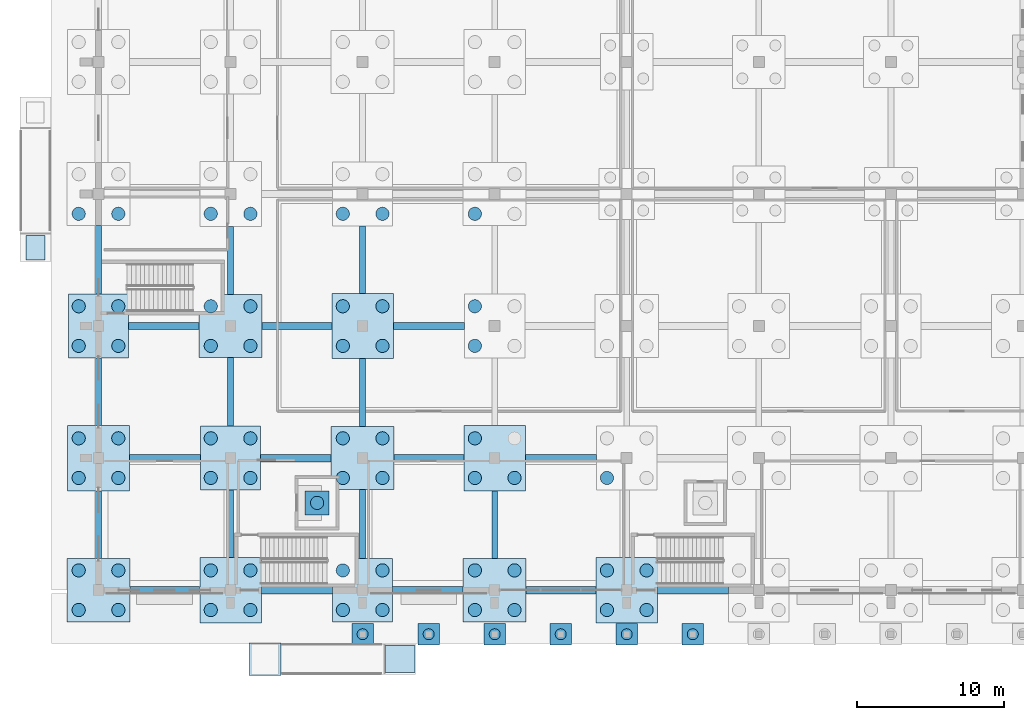
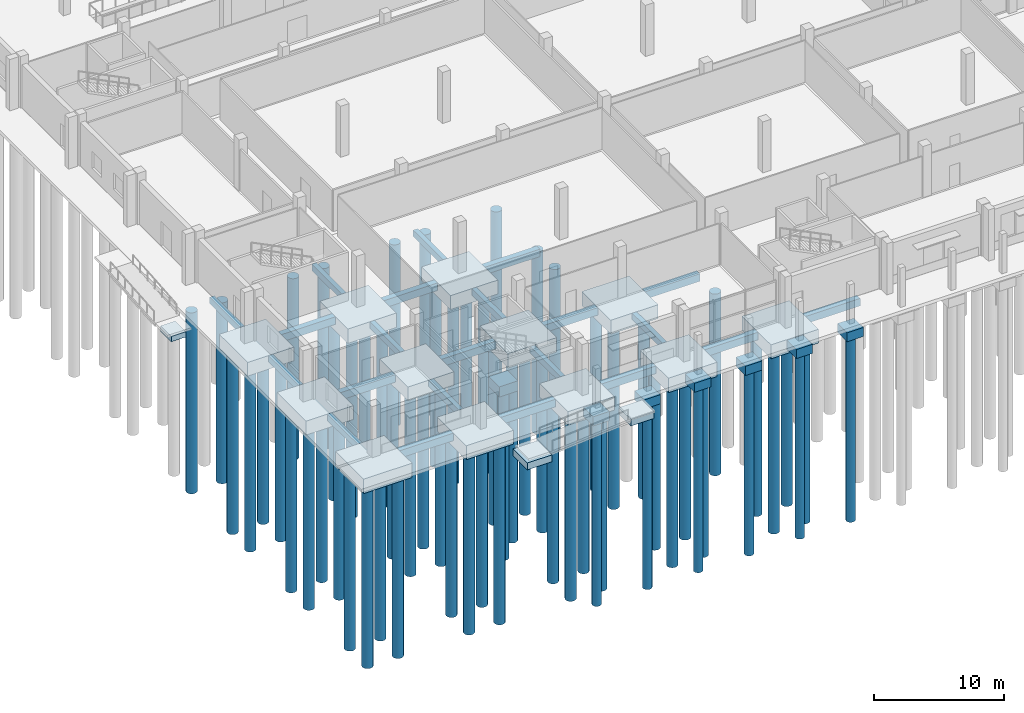
# One storey, part 1 of 112: 64 piles, 44 footings.
"""IFC4 building model written with IfcOpenShell, lengths in metres."""

from ifc_helpers import new_model, si_unit, direction, frame, origin, origin_2d, place, context, subcontext, project, spatial, polyline, rectangle, circle, outline, extrude, material, material_profile, profile_set, type_object, element, save


model = new_model("IFC4")

# Units and contexts
model_context = context("Model", 3, precision=1e-05, world=origin(), true_north=direction((0.0, 1.0)))
body_context = subcontext(model_context, "Body", "Model", "MODEL_VIEW")
ifc_project = project(units=[si_unit("LENGTHUNIT", "METRE"), si_unit("AREAUNIT", "SQUARE_METRE"), si_unit("VOLUMEUNIT", "CUBIC_METRE"), si_unit("PLANEANGLEUNIT", "RADIAN"), si_unit("MASSUNIT", "GRAM", prefix="KILO")], contexts=[model_context])

# Site, building, storey
site_placement = place(None, origin())
site = spatial("IfcSite", under=ifc_project, at=site_placement, CompositionType="ELEMENT")
building_placement = place(site_placement, origin())
building = spatial("IfcBuilding", under=site, at=building_placement, Name="Tharagai Park Tramway Depot", CompositionType="ELEMENT")
storey_placement = place(building_placement, origin())
storey = spatial("IfcBuildingStorey", under=building, at=storey_placement, Name="L00", CompositionType="ELEMENT", Elevation=0.0)

# Piles
ifc_material = material(Name="Concrete M40", Category="concrete")
ifc_material_profile_1 = material_profile(ifc_material, circle(Radius=0.449951171875, at=origin_2d()), Name="PILE D900")
ifc_profile_set_1 = profile_set([ifc_material_profile_1], Name="Concrete M40")
pile_type_1 = type_object("IfcPileType", Name="BP-01", PredefinedType="BORED", material=ifc_profile_set_1)
for number, where, z_axis, x_axis, name in (
    (1, (-1.35009765625, -1.35009765625, -1.550048828125), (0.0, 0.0, -1.0), (1.0, 0.0, 0.0), "Bored Pile BP-01 (0,0) #1"),
    (2, (1.35009765625, -1.35009765625, -1.550048828125), (0.0, 0.0, -1.0), (1.0, 0.0, 0.0), "Bored Pile BP-01 (0,0) #2"),
    (3, (-1.35009765625, 1.35009765625, -1.550048828125), (0.0, 0.0, -1.0), (1.0, 0.0, 0.0), "Bored Pile BP-01 (0,0) #3"),
    (4, (1.35009765625, 1.35009765625, -1.550048828125), (0.0, 0.0, -1.0), (1.0, 0.0, 0.0), "Bored Pile BP-01 (0,0) #4"),
):
    element("IfcPile", number, at=place(storey_placement, frame(where, z_axis=z_axis, x_axis=x_axis)), inside=storey, type_object=pile_type_1, Name=name, PredefinedType="BORED", context=body_context, shape_type="SweptSolid", body=[
        extrude(circle(Radius=0.449951171875, at=origin_2d()), origin(), (0.0, 0.0, 1.0), 16.949951171875),
    ])
for number, where, z_axis, x_axis, name in (
    (5, (-1.35009765625, 7.64990234375, -1.5), (0.0, 0.0, -1.0), (1.0, 0.0, 0.0), "Bored Pile BP-01 (0,9) #1"),
    (6, (1.35009765625, 7.64990234375, -1.5), (0.0, 0.0, -1.0), (1.0, 0.0, 0.0), "Bored Pile BP-01 (0,9) #2"),
    (7, (-1.35009765625, 10.35009765625, -1.5), (0.0, 0.0, -1.0), (1.0, 0.0, 0.0), "Bored Pile BP-01 (0,9) #3"),
    (8, (1.35009765625, 10.35009765625, -1.5), (0.0, 0.0, -1.0), (1.0, 0.0, 0.0), "Bored Pile BP-01 (0,9) #4"),
):
    element("IfcPile", number, at=place(storey_placement, frame(where, z_axis=z_axis, x_axis=x_axis)), inside=storey, type_object=pile_type_1, Name=name, PredefinedType="BORED", context=body_context, shape_type="SweptSolid", body=[
        extrude(circle(Radius=0.449951171875, at=origin_2d()), origin(), (0.0, 0.0, 1.0), 17.0),
    ])
for number, where, z_axis, x_axis, name in (
    (9, (-1.35009765625, 16.64990234375, -1.47998046875), (0.0, 0.0, -1.0), (1.0, 0.0, 0.0), "Bored Pile BP-01 (0,18) #1"),
    (10, (1.35009765625, 16.64990234375, -1.47998046875), (0.0, 0.0, -1.0), (1.0, 0.0, 0.0), "Bored Pile BP-01 (0,18) #2"),
    (11, (-1.35009765625, 19.35009765625, -1.47998046875), (0.0, 0.0, -1.0), (1.0, 0.0, 0.0), "Bored Pile BP-01 (0,18) #3"),
    (12, (1.35009765625, 19.35009765625, -1.47998046875), (0.0, 0.0, -1.0), (1.0, 0.0, 0.0), "Bored Pile BP-01 (0,18) #4"),
):
    element("IfcPile", number, at=place(storey_placement, frame(where, z_axis=z_axis, x_axis=x_axis)), inside=storey, type_object=pile_type_1, Name=name, PredefinedType="BORED", context=body_context, shape_type="SweptSolid", body=[
        extrude(circle(Radius=0.449951171875, at=origin_2d()), origin(), (0.0, 0.0, 1.0), 17.02001953125),
    ])
for number, where, z_axis, x_axis, name in (
    (13, (-1.35009765625, 25.64990234375, -1.550048828125), (0.0, 0.0, -1.0), (1.0, 0.0, 0.0), "Bored Pile BP-01 (0,27) #1"),
    (14, (1.35009765625, 25.64990234375, -1.550048828125), (0.0, 0.0, -1.0), (1.0, 0.0, 0.0), "Bored Pile BP-01 (0,27) #2"),
):
    element("IfcPile", number, at=place(storey_placement, frame(where, z_axis=z_axis, x_axis=x_axis)), inside=storey, type_object=pile_type_1, Name=name, PredefinedType="BORED", context=body_context, shape_type="SweptSolid", body=[
        extrude(circle(Radius=0.449951171875, at=origin_2d()), origin(), (0.0, 0.0, 1.0), 16.949951171875),
    ])
for number, where, z_axis, x_axis, name in (
    (15, (7.64990234375, -1.35009765625, -1.5), (0.0, 0.0, -1.0), (1.0, 0.0, 0.0), "Bored Pile BP-01 (9,0) #1"),
    (16, (10.35009765625, -1.35009765625, -1.5), (0.0, 0.0, -1.0), (1.0, 0.0, 0.0), "Bored Pile BP-01 (9,0) #2"),
    (17, (7.64990234375, 1.35009765625, -1.5), (0.0, 0.0, -1.0), (1.0, 0.0, 0.0), "Bored Pile BP-01 (9,0) #3"),
    (18, (10.35009765625, 1.35009765625, -1.5), (0.0, 0.0, -1.0), (1.0, 0.0, 0.0), "Bored Pile BP-01 (9,0) #4"),
):
    element("IfcPile", number, at=place(storey_placement, frame(where, z_axis=z_axis, x_axis=x_axis)), inside=storey, type_object=pile_type_1, Name=name, PredefinedType="BORED", context=body_context, shape_type="SweptSolid", body=[
        extrude(circle(Radius=0.449951171875, at=origin_2d()), origin(), (0.0, 0.0, 1.0), 17.0),
    ])
for number, where, z_axis, x_axis, name in (
    (19, (7.64990234375, 7.64990234375, -1.47998046875), (0.0, 0.0, -1.0), (1.0, 0.0, 0.0), "Bored Pile BP-01 (9,9) #1"),
    (20, (10.35009765625, 7.64990234375, -1.47998046875), (0.0, 0.0, -1.0), (1.0, 0.0, 0.0), "Bored Pile BP-01 (9,9) #2"),
    (21, (7.64990234375, 10.35009765625, -1.47998046875), (0.0, 0.0, -1.0), (1.0, 0.0, 0.0), "Bored Pile BP-01 (9,9) #3"),
    (22, (10.35009765625, 10.35009765625, -1.47998046875), (0.0, 0.0, -1.0), (1.0, 0.0, 0.0), "Bored Pile BP-01 (9,9) #4"),
):
    element("IfcPile", number, at=place(storey_placement, frame(where, z_axis=z_axis, x_axis=x_axis)), inside=storey, type_object=pile_type_1, Name=name, PredefinedType="BORED", context=body_context, shape_type="SweptSolid", body=[
        extrude(circle(Radius=0.449951171875, at=origin_2d()), origin(), (0.0, 0.0, 1.0), 17.02001953125),
    ])
for number, where, z_axis, x_axis, name in (
    (23, (7.64990234375, 16.64990234375, -1.550048828125), (0.0, 0.0, -1.0), (1.0, 0.0, 0.0), "Bored Pile BP-01 (9,18) #1"),
    (24, (10.35009765625, 16.64990234375, -1.550048828125), (0.0, 0.0, -1.0), (1.0, 0.0, 0.0), "Bored Pile BP-01 (9,18) #2"),
    (25, (7.64990234375, 19.35009765625, -1.550048828125), (0.0, 0.0, -1.0), (1.0, 0.0, 0.0), "Bored Pile BP-01 (9,18) #3"),
    (26, (10.35009765625, 19.35009765625, -1.550048828125), (0.0, 0.0, -1.0), (1.0, 0.0, 0.0), "Bored Pile BP-01 (9,18) #4"),
):
    element("IfcPile", number, at=place(storey_placement, frame(where, z_axis=z_axis, x_axis=x_axis)), inside=storey, type_object=pile_type_1, Name=name, PredefinedType="BORED", context=body_context, shape_type="SweptSolid", body=[
        extrude(circle(Radius=0.449951171875, at=origin_2d()), origin(), (0.0, 0.0, 1.0), 16.949951171875),
    ])
for number, where, z_axis, x_axis, name in (
    (27, (7.64990234375, 25.64990234375, -1.5), (0.0, 0.0, -1.0), (1.0, 0.0, 0.0), "Bored Pile BP-01 (9,27) #1"),
    (28, (10.35009765625, 25.64990234375, -1.5), (0.0, 0.0, -1.0), (1.0, 0.0, 0.0), "Bored Pile BP-01 (9,27) #2"),
):
    element("IfcPile", number, at=place(storey_placement, frame(where, z_axis=z_axis, x_axis=x_axis)), inside=storey, type_object=pile_type_1, Name=name, PredefinedType="BORED", context=body_context, shape_type="SweptSolid", body=[
        extrude(circle(Radius=0.449951171875, at=origin_2d()), origin(), (0.0, 0.0, 1.0), 17.0),
    ])
for number, where, z_axis, x_axis, name in (
    (29, (16.64990234375, -1.35009765625, -1.47998046875), (0.0, 0.0, -1.0), (1.0, 0.0, 0.0), "Bored Pile BP-01 (18,0) #1"),
    (30, (19.35009765625, -1.35009765625, -1.47998046875), (0.0, 0.0, -1.0), (1.0, 0.0, 0.0), "Bored Pile BP-01 (18,0) #2"),
    (31, (16.64990234375, 1.35009765625, -1.47998046875), (0.0, 0.0, -1.0), (1.0, 0.0, 0.0), "Bored Pile BP-01 (18,0) #3"),
    (32, (19.35009765625, 1.35009765625, -1.47998046875), (0.0, 0.0, -1.0), (1.0, 0.0, 0.0), "Bored Pile BP-01 (18,0) #4"),
):
    element("IfcPile", number, at=place(storey_placement, frame(where, z_axis=z_axis, x_axis=x_axis)), inside=storey, type_object=pile_type_1, Name=name, PredefinedType="BORED", context=body_context, shape_type="SweptSolid", body=[
        extrude(circle(Radius=0.449951171875, at=origin_2d()), origin(), (0.0, 0.0, 1.0), 17.02001953125),
    ])
for number, where, z_axis, x_axis, name in (
    (33, (16.64990234375, 7.64990234375, -1.550048828125), (0.0, 0.0, -1.0), (1.0, 0.0, 0.0), "Bored Pile BP-01 (18,9) #1"),
    (34, (19.35009765625, 7.64990234375, -1.550048828125), (0.0, 0.0, -1.0), (1.0, 0.0, 0.0), "Bored Pile BP-01 (18,9) #2"),
    (35, (16.64990234375, 10.35009765625, -1.550048828125), (0.0, 0.0, -1.0), (1.0, 0.0, 0.0), "Bored Pile BP-01 (18,9) #3"),
    (36, (19.35009765625, 10.35009765625, -1.550048828125), (0.0, 0.0, -1.0), (1.0, 0.0, 0.0), "Bored Pile BP-01 (18,9) #4"),
):
    element("IfcPile", number, at=place(storey_placement, frame(where, z_axis=z_axis, x_axis=x_axis)), inside=storey, type_object=pile_type_1, Name=name, PredefinedType="BORED", context=body_context, shape_type="SweptSolid", body=[
        extrude(circle(Radius=0.449951171875, at=origin_2d()), origin(), (0.0, 0.0, 1.0), 16.949951171875),
    ])
for number, where, z_axis, x_axis, name in (
    (37, (16.64990234375, 16.64990234375, -1.5), (0.0, 0.0, -1.0), (1.0, 0.0, 0.0), "Bored Pile BP-01 (18,18) #1"),
    (38, (19.35009765625, 16.64990234375, -1.5), (0.0, 0.0, -1.0), (1.0, 0.0, 0.0), "Bored Pile BP-01 (18,18) #2"),
    (39, (16.64990234375, 19.35009765625, -1.5), (0.0, 0.0, -1.0), (1.0, 0.0, 0.0), "Bored Pile BP-01 (18,18) #3"),
    (40, (19.35009765625, 19.35009765625, -1.5), (0.0, 0.0, -1.0), (1.0, 0.0, 0.0), "Bored Pile BP-01 (18,18) #4"),
):
    element("IfcPile", number, at=place(storey_placement, frame(where, z_axis=z_axis, x_axis=x_axis)), inside=storey, type_object=pile_type_1, Name=name, PredefinedType="BORED", context=body_context, shape_type="SweptSolid", body=[
        extrude(circle(Radius=0.449951171875, at=origin_2d()), origin(), (0.0, 0.0, 1.0), 17.0),
    ])
for number, where, z_axis, x_axis, name in (
    (41, (16.64990234375, 25.64990234375, -1.47998046875), (0.0, 0.0, -1.0), (1.0, 0.0, 0.0), "Bored Pile BP-01 (18,27) #1"),
    (42, (19.35009765625, 25.64990234375, -1.47998046875), (0.0, 0.0, -1.0), (1.0, 0.0, 0.0), "Bored Pile BP-01 (18,27) #2"),
):
    element("IfcPile", number, at=place(storey_placement, frame(where, z_axis=z_axis, x_axis=x_axis)), inside=storey, type_object=pile_type_1, Name=name, PredefinedType="BORED", context=body_context, shape_type="SweptSolid", body=[
        extrude(circle(Radius=0.449951171875, at=origin_2d()), origin(), (0.0, 0.0, 1.0), 17.02001953125),
    ])
for number, where, z_axis, x_axis, name in (
    (43, (25.64990234375, -1.35009765625, -1.550048828125), (0.0, 0.0, -1.0), (1.0, 0.0, 0.0), "Bored Pile BP-01 (27,0) #1"),
    (44, (28.35009765625, -1.35009765625, -1.550048828125), (0.0, 0.0, -1.0), (1.0, 0.0, 0.0), "Bored Pile BP-01 (27,0) #2"),
    (45, (25.64990234375, 1.35009765625, -1.550048828125), (0.0, 0.0, -1.0), (1.0, 0.0, 0.0), "Bored Pile BP-01 (27,0) #3"),
    (46, (28.35009765625, 1.35009765625, -1.550048828125), (0.0, 0.0, -1.0), (1.0, 0.0, 0.0), "Bored Pile BP-01 (27,0) #4"),
):
    element("IfcPile", number, at=place(storey_placement, frame(where, z_axis=z_axis, x_axis=x_axis)), inside=storey, type_object=pile_type_1, Name=name, PredefinedType="BORED", context=body_context, shape_type="SweptSolid", body=[
        extrude(circle(Radius=0.449951171875, at=origin_2d()), origin(), (0.0, 0.0, 1.0), 16.949951171875),
    ])
for number, where, z_axis, x_axis, name in (
    (47, (25.64990234375, 7.64990234375, -1.5), (0.0, 0.0, -1.0), (1.0, 0.0, 0.0), "Bored Pile BP-01 (27,9) #1"),
    (48, (28.35009765625, 7.64990234375, -1.5), (0.0, 0.0, -1.0), (1.0, 0.0, 0.0), "Bored Pile BP-01 (27,9) #2"),
    (49, (25.64990234375, 10.35009765625, -1.5), (0.0, 0.0, -1.0), (1.0, 0.0, 0.0), "Bored Pile BP-01 (27,9) #3"),
):
    element("IfcPile", number, at=place(storey_placement, frame(where, z_axis=z_axis, x_axis=x_axis)), inside=storey, type_object=pile_type_1, Name=name, PredefinedType="BORED", context=body_context, shape_type="SweptSolid", body=[
        extrude(circle(Radius=0.449951171875, at=origin_2d()), origin(), (0.0, 0.0, 1.0), 17.0),
    ])
for number, where, z_axis, x_axis, name in (
    (50, (25.64990234375, 16.64990234375, -1.47998046875), (0.0, 0.0, -1.0), (1.0, 0.0, 0.0), "Bored Pile BP-01 (27,18) #1"),
    (51, (25.64990234375, 19.35009765625, -1.47998046875), (0.0, 0.0, -1.0), (1.0, 0.0, 0.0), "Bored Pile BP-01 (27,18) #3"),
):
    element("IfcPile", number, at=place(storey_placement, frame(where, z_axis=z_axis, x_axis=x_axis)), inside=storey, type_object=pile_type_1, Name=name, PredefinedType="BORED", context=body_context, shape_type="SweptSolid", body=[
        extrude(circle(Radius=0.449951171875, at=origin_2d()), origin(), (0.0, 0.0, 1.0), 17.02001953125),
    ])
pile_1_placement = place(storey_placement, frame((25.64990234375, 25.64990234375, -1.550048828125), z_axis=(0.0, 0.0, -1.0), x_axis=(1.0, 0.0, 0.0)))
element("IfcPile", 52, at=pile_1_placement, inside=storey, type_object=pile_type_1, Name="Bored Pile BP-01 (27,27) #1", PredefinedType="BORED", context=body_context, shape_type="SweptSolid", body=[
    extrude(circle(Radius=0.449951171875, at=origin_2d()), origin(), (0.0, 0.0, 1.0), 16.949951171875),
])
for number, where, z_axis, x_axis, name in (
    (53, (34.64990234375, -1.35009765625, -1.5), (0.0, 0.0, -1.0), (1.0, 0.0, 0.0), "Bored Pile BP-01 (36,0) #1"),
    (54, (37.35009765625, -1.35009765625, -1.5), (0.0, 0.0, -1.0), (1.0, 0.0, 0.0), "Bored Pile BP-01 (36,0) #2"),
    (55, (34.64990234375, 1.35009765625, -1.5), (0.0, 0.0, -1.0), (1.0, 0.0, 0.0), "Bored Pile BP-01 (36,0) #3"),
    (56, (37.35009765625, 1.35009765625, -1.5), (0.0, 0.0, -1.0), (1.0, 0.0, 0.0), "Bored Pile BP-01 (36,0) #4"),
):
    element("IfcPile", number, at=place(storey_placement, frame(where, z_axis=z_axis, x_axis=x_axis)), inside=storey, type_object=pile_type_1, Name=name, PredefinedType="BORED", context=body_context, shape_type="SweptSolid", body=[
        extrude(circle(Radius=0.449951171875, at=origin_2d()), origin(), (0.0, 0.0, 1.0), 17.0),
    ])
pile_2_placement = place(storey_placement, frame((34.64990234375, 7.64990234375, -1.47998046875), z_axis=(0.0, 0.0, -1.0), x_axis=(1.0, 0.0, 0.0)))
element("IfcPile", 57, at=pile_2_placement, inside=storey, type_object=pile_type_1, Name="Bored Pile BP-01 (36,9) #1", PredefinedType="BORED", context=body_context, shape_type="SweptSolid", body=[
    extrude(circle(Radius=0.449951171875, at=origin_2d()), origin(), (0.0, 0.0, 1.0), 17.02001953125),
])
pile_3_placement = place(storey_placement, frame((14.89990234375, 5.949951171875, -2.60009765625), z_axis=(0.0, 0.0, -1.0), x_axis=(1.0, 0.0, 0.0)))
element("IfcPile", 58, at=pile_3_placement, inside=storey, type_object=pile_type_1, Name="Lift LF-01 Pit Bored Pile", PredefinedType="BORED", context=body_context, shape_type="SweptSolid", body=[
    extrude(circle(Radius=0.449951171875, at=origin_2d()), origin(), (0.0, 0.0, 1.0), 15.89990234375),
])
ifc_material_profile_2 = material_profile(ifc_material, circle(Radius=0.375, at=origin_2d()), Name="PILE D750")
ifc_profile_set_2 = profile_set([ifc_material_profile_2], Name="Concrete M40")
pile_type_2 = type_object("IfcPileType", Name="BP-02", PredefinedType="BORED", material=ifc_profile_set_2)
for number, where, z_axis, x_axis, name in (
    (59, (18.0, -3.0, -1.06005859375), (0.0, 0.0, -1.0), (1.0, 0.0, 0.0), "Park Cloister Pier Bored Pile BP-02"),
    (60, (22.5, -3.0, -1.06005859375), (0.0, 0.0, -1.0), (1.0, 0.0, 0.0), "Park Cloister Pier Bored Pile BP-02"),
    (61, (27.0, -3.0, -1.06005859375), (0.0, 0.0, -1.0), (1.0, 0.0, 0.0), "Park Cloister Pier Bored Pile BP-02"),
    (62, (31.5, -3.0, -1.06005859375), (0.0, 0.0, -1.0), (1.0, 0.0, 0.0), "Park Cloister Pier Bored Pile BP-02"),
    (63, (36.0, -3.0, -1.06005859375), (0.0, 0.0, -1.0), (1.0, 0.0, 0.0), "Park Cloister Pier Bored Pile BP-02"),
    (64, (40.5, -3.0, -1.06005859375), (0.0, 0.0, -1.0), (1.0, 0.0, 0.0), "Park Cloister Pier Bored Pile BP-02"),
):
    element("IfcPile", number, at=place(storey_placement, frame(where, z_axis=z_axis, x_axis=x_axis)), inside=storey, type_object=pile_type_2, Name=name, PredefinedType="BORED", context=body_context, shape_type="SweptSolid", body=[
        extrude(circle(Radius=0.375, at=origin_2d()), origin(), (0.0, 0.0, 1.0), 17.43994140625),
    ])

# Footings
footing_type_1 = type_object("IfcFootingType", Name="GB-02", PredefinedType="FOOTING_BEAM", material=ifc_material)
footing_1_placement = place(storey_placement, frame((0.0, 0.0, -1.0)))
element("IfcFooting", 65, at=footing_1_placement, inside=storey, type_object=footing_type_1, Name="Ground Tie Beam GB-02", PredefinedType="FOOTING_BEAM", context=body_context, shape_type="SweptSolid", body=[
    extrude(outline(polyline([(2.14990234375, -0.25), (6.89990234375, -0.25), (6.89990234375, 0.25), (2.14990234375, 0.25), (2.14990234375, -0.25)])), origin(), (0.0, 0.0, 1.0), 0.699951171875),
])
footing_2_placement = place(storey_placement, frame((0.0, 0.0, -1.0)))
element("IfcFooting", 66, at=footing_2_placement, inside=storey, type_object=footing_type_1, Name="Ground Tie Beam GB-02", PredefinedType="FOOTING_BEAM", context=body_context, shape_type="SweptSolid", body=[
    extrude(outline(polyline([(11.10009765625, -0.25), (15.949951171875, -0.25), (15.949951171875, 0.25), (11.10009765625, 0.25), (11.10009765625, -0.25)])), origin(), (0.0, 0.0, 1.0), 0.699951171875),
])
footing_3_placement = place(storey_placement, frame((0.0, 0.0, -1.0)))
element("IfcFooting", 67, at=footing_3_placement, inside=storey, type_object=footing_type_1, Name="Ground Tie Beam GB-02", PredefinedType="FOOTING_BEAM", context=body_context, shape_type="SweptSolid", body=[
    extrude(outline(polyline([(20.050048828125, -0.25), (24.85009765625, -0.25), (24.85009765625, 0.25), (20.050048828125, 0.25), (20.050048828125, -0.25)])), origin(), (0.0, 0.0, 1.0), 0.699951171875),
])
footing_4_placement = place(storey_placement, frame((0.0, 0.0, -1.0)))
element("IfcFooting", 68, at=footing_4_placement, inside=storey, type_object=footing_type_1, Name="Ground Tie Beam GB-02", PredefinedType="FOOTING_BEAM", context=body_context, shape_type="SweptSolid", body=[
    extrude(outline(polyline([(29.14990234375, -0.25), (33.89990234375, -0.25), (33.89990234375, 0.25), (29.14990234375, 0.25), (29.14990234375, -0.25)])), origin(), (0.0, 0.0, 1.0), 0.699951171875),
])
footing_5_placement = place(storey_placement, frame((0.0, 0.0, -1.0)))
element("IfcFooting", 69, at=footing_5_placement, inside=storey, type_object=footing_type_1, Name="Ground Tie Beam GB-02", PredefinedType="FOOTING_BEAM", context=body_context, shape_type="SweptSolid", body=[
    extrude(outline(polyline([(38.10009765625, -0.25), (42.949951171875, -0.25), (42.949951171875, 0.25), (38.10009765625, 0.25), (38.10009765625, -0.25)])), origin(), (0.0, 0.0, 1.0), 0.699951171875),
])
footing_6_placement = place(storey_placement, frame((0.0, 0.0, -1.0)))
element("IfcFooting", 70, at=footing_6_placement, inside=storey, type_object=footing_type_1, Name="Ground Tie Beam GB-02", PredefinedType="FOOTING_BEAM", context=body_context, shape_type="SweptSolid", body=[
    extrude(outline(polyline([(2.10009765625, 8.75), (6.949951171875, 8.75), (6.949951171875, 9.25), (2.10009765625, 9.25), (2.10009765625, 8.75)])), origin(), (0.0, 0.0, 1.0), 0.699951171875),
])
footing_7_placement = place(storey_placement, frame((0.0, 0.0, -1.0)))
element("IfcFooting", 71, at=footing_7_placement, inside=storey, type_object=footing_type_1, Name="Ground Tie Beam GB-02", PredefinedType="FOOTING_BEAM", context=body_context, shape_type="SweptSolid", body=[
    extrude(outline(polyline([(11.050048828125, 8.75), (15.85009765625, 8.75), (15.85009765625, 9.25), (11.050048828125, 9.25), (11.050048828125, 8.75)])), origin(), (0.0, 0.0, 1.0), 0.699951171875),
])
footing_8_placement = place(storey_placement, frame((0.0, 0.0, -1.0)))
element("IfcFooting", 72, at=footing_8_placement, inside=storey, type_object=footing_type_1, Name="Ground Tie Beam GB-02", PredefinedType="FOOTING_BEAM", context=body_context, shape_type="SweptSolid", body=[
    extrude(outline(polyline([(20.14990234375, 8.75), (24.89990234375, 8.75), (24.89990234375, 9.25), (20.14990234375, 9.25), (20.14990234375, 8.75)])), origin(), (0.0, 0.0, 1.0), 0.699951171875),
])
footing_9_placement = place(storey_placement, frame((0.0, 0.0, -1.0)))
element("IfcFooting", 73, at=footing_9_placement, inside=storey, type_object=footing_type_1, Name="Ground Tie Beam GB-02", PredefinedType="FOOTING_BEAM", context=body_context, shape_type="SweptSolid", body=[
    extrude(outline(polyline([(29.10009765625, 8.75), (33.949951171875, 8.75), (33.949951171875, 9.25), (29.10009765625, 9.25), (29.10009765625, 8.75)])), origin(), (0.0, 0.0, 1.0), 0.699951171875),
])
footing_10_placement = place(storey_placement, frame((0.0, 0.0, -1.0)))
element("IfcFooting", 74, at=footing_10_placement, inside=storey, type_object=footing_type_1, Name="Ground Tie Beam GB-02", PredefinedType="FOOTING_BEAM", context=body_context, shape_type="SweptSolid", body=[
    extrude(outline(polyline([(2.050048828125, 17.75), (6.85009765625, 17.75), (6.85009765625, 18.25), (2.050048828125, 18.25), (2.050048828125, 17.75)])), origin(), (0.0, 0.0, 1.0), 0.699951171875),
])
footing_11_placement = place(storey_placement, frame((0.0, 0.0, -1.0)))
element("IfcFooting", 75, at=footing_11_placement, inside=storey, type_object=footing_type_1, Name="Ground Tie Beam GB-02", PredefinedType="FOOTING_BEAM", context=body_context, shape_type="SweptSolid", body=[
    extrude(outline(polyline([(11.14990234375, 17.75), (15.89990234375, 17.75), (15.89990234375, 18.25), (11.14990234375, 18.25), (11.14990234375, 17.75)])), origin(), (0.0, 0.0, 1.0), 0.699951171875),
])
footing_12_placement = place(storey_placement, frame((0.0, 0.0, -1.0)))
element("IfcFooting", 76, at=footing_12_placement, inside=storey, type_object=footing_type_1, Name="Ground Tie Beam GB-02", PredefinedType="FOOTING_BEAM", context=body_context, shape_type="SweptSolid", body=[
    extrude(outline(polyline([(20.10009765625, 17.75), (24.949951171875, 17.75), (24.949951171875, 18.25), (20.10009765625, 18.25), (20.10009765625, 17.75)])), origin(), (0.0, 0.0, 1.0), 0.699951171875),
])
footing_type_2 = type_object("IfcFootingType", Name="GB-04", PredefinedType="FOOTING_BEAM", material=ifc_material)
footing_13_placement = place(storey_placement, frame((0.0, 0.0, -0.89990234375)))
element("IfcFooting", 77, at=footing_13_placement, inside=storey, type_object=footing_type_2, Name="Ground Tie Beam GB-04", PredefinedType="FOOTING_BEAM", context=body_context, shape_type="SweptSolid", body=[
    extrude(outline(polyline([(-0.199951171875, 2.14990234375), (0.199951171875, 2.14990234375), (0.199951171875, 6.77490234375), (-0.199951171875, 6.77490234375), (-0.199951171875, 2.14990234375)])), origin(), (0.0, 0.0, 1.0), 0.599853515625),
])
footing_14_placement = place(storey_placement, frame((0.0, 0.0, -0.89990234375)))
element("IfcFooting", 78, at=footing_14_placement, inside=storey, type_object=footing_type_2, Name="Ground Tie Beam GB-04", PredefinedType="FOOTING_BEAM", context=body_context, shape_type="SweptSolid", body=[
    extrude(outline(polyline([(-0.199951171875, 11.22509765625), (0.199951171875, 11.22509765625), (0.199951171875, 15.824951171875), (-0.199951171875, 15.824951171875), (-0.199951171875, 11.22509765625)])), origin(), (0.0, 0.0, 1.0), 0.599853515625),
])
footing_15_placement = place(storey_placement, frame((0.0, 0.0, -0.89990234375)))
element("IfcFooting", 79, at=footing_15_placement, inside=storey, type_object=footing_type_2, Name="Ground Tie Beam GB-04", PredefinedType="FOOTING_BEAM", context=body_context, shape_type="SweptSolid", body=[
    extrude(outline(polyline([(-0.199951171875, 20.175048828125), (0.199951171875, 20.175048828125), (0.199951171875, 24.85009765625), (-0.199951171875, 24.85009765625), (-0.199951171875, 20.175048828125)])), origin(), (0.0, 0.0, 1.0), 0.599853515625),
])
footing_16_placement = place(storey_placement, frame((0.0, 0.0, -0.89990234375)))
element("IfcFooting", 80, at=footing_16_placement, inside=storey, type_object=footing_type_2, Name="Ground Tie Beam GB-04", PredefinedType="FOOTING_BEAM", context=body_context, shape_type="SweptSolid", body=[
    extrude(outline(polyline([(8.800048828125, 2.22509765625), (9.199951171875, 2.22509765625), (9.199951171875, 6.824951171875), (8.800048828125, 6.824951171875), (8.800048828125, 2.22509765625)])), origin(), (0.0, 0.0, 1.0), 0.599853515625),
])
footing_17_placement = place(storey_placement, frame((0.0, 0.0, -0.89990234375)))
element("IfcFooting", 81, at=footing_17_placement, inside=storey, type_object=footing_type_2, Name="Ground Tie Beam GB-04", PredefinedType="FOOTING_BEAM", context=body_context, shape_type="SweptSolid", body=[
    extrude(outline(polyline([(8.800048828125, 11.175048828125), (9.199951171875, 11.175048828125), (9.199951171875, 15.85009765625), (8.800048828125, 15.85009765625), (8.800048828125, 11.175048828125)])), origin(), (0.0, 0.0, 1.0), 0.599853515625),
])
footing_18_placement = place(storey_placement, frame((0.0, 0.0, -0.89990234375)))
element("IfcFooting", 82, at=footing_18_placement, inside=storey, type_object=footing_type_2, Name="Ground Tie Beam GB-04", PredefinedType="FOOTING_BEAM", context=body_context, shape_type="SweptSolid", body=[
    extrude(outline(polyline([(8.800048828125, 20.14990234375), (9.199951171875, 20.14990234375), (9.199951171875, 24.77490234375), (8.800048828125, 24.77490234375), (8.800048828125, 20.14990234375)])), origin(), (0.0, 0.0, 1.0), 0.599853515625),
])
footing_19_placement = place(storey_placement, frame((0.0, 0.0, -0.89990234375)))
element("IfcFooting", 83, at=footing_19_placement, inside=storey, type_object=footing_type_2, Name="Ground Tie Beam GB-04", PredefinedType="FOOTING_BEAM", context=body_context, shape_type="SweptSolid", body=[
    extrude(outline(polyline([(17.800048828125, 2.175048828125), (18.199951171875, 2.175048828125), (18.199951171875, 6.85009765625), (17.800048828125, 6.85009765625), (17.800048828125, 2.175048828125)])), origin(), (0.0, 0.0, 1.0), 0.599853515625),
])
footing_20_placement = place(storey_placement, frame((0.0, 0.0, -0.89990234375)))
element("IfcFooting", 84, at=footing_20_placement, inside=storey, type_object=footing_type_2, Name="Ground Tie Beam GB-04", PredefinedType="FOOTING_BEAM", context=body_context, shape_type="SweptSolid", body=[
    extrude(outline(polyline([(17.800048828125, 11.14990234375), (18.199951171875, 11.14990234375), (18.199951171875, 15.77490234375), (17.800048828125, 15.77490234375), (17.800048828125, 11.14990234375)])), origin(), (0.0, 0.0, 1.0), 0.599853515625),
])
footing_21_placement = place(storey_placement, frame((0.0, 0.0, -0.89990234375)))
element("IfcFooting", 85, at=footing_21_placement, inside=storey, type_object=footing_type_2, Name="Ground Tie Beam GB-04", PredefinedType="FOOTING_BEAM", context=body_context, shape_type="SweptSolid", body=[
    extrude(outline(polyline([(17.800048828125, 20.22509765625), (18.199951171875, 20.22509765625), (18.199951171875, 24.824951171875), (17.800048828125, 24.824951171875), (17.800048828125, 20.22509765625)])), origin(), (0.0, 0.0, 1.0), 0.599853515625),
])
footing_22_placement = place(storey_placement, frame((0.0, 0.0, -0.89990234375)))
element("IfcFooting", 86, at=footing_22_placement, inside=storey, type_object=footing_type_2, Name="Ground Tie Beam GB-04", PredefinedType="FOOTING_BEAM", context=body_context, shape_type="SweptSolid", body=[
    extrude(outline(polyline([(26.800048828125, 2.14990234375), (27.199951171875, 2.14990234375), (27.199951171875, 6.77490234375), (26.800048828125, 6.77490234375), (26.800048828125, 2.14990234375)])), origin(), (0.0, 0.0, 1.0), 0.599853515625),
])
footing_type_3 = type_object("IfcFootingType", Name="PC-01", PredefinedType="PILE_CAP", material=ifc_material)
for number, where, z_axis, x_axis, name in (
    (87, (0.0, 9.0, -1.60009765625), (0.0, 0.0, 1.0), (1.0, 0.0, 0.0), "Pile Cap PC-01 (0,9)"),
    (88, (9.0, 0.0, -1.60009765625), (0.0, 0.0, 1.0), (1.0, 0.0, 0.0), "Pile Cap PC-01 (9,0)"),
    (89, (18.0, 18.0, -1.60009765625), (0.0, 0.0, 1.0), (1.0, 0.0, 0.0), "Pile Cap PC-01 (18,18)"),
    (90, (27.0, 9.0, -1.60009765625), (0.0, 0.0, 1.0), (1.0, 0.0, 0.0), "Pile Cap PC-01 (27,9)"),
    (91, (36.0, 0.0, -1.60009765625), (0.0, 0.0, 1.0), (1.0, 0.0, 0.0), "Pile Cap PC-01 (36,0)"),
):
    element("IfcFooting", number, at=place(storey_placement, frame(where, z_axis=z_axis, x_axis=x_axis)), inside=storey, type_object=footing_type_3, Name=name, PredefinedType="PILE_CAP", context=body_context, shape_type="SweptSolid", body=[
        extrude(rectangle(XDim=4.199951171875, YDim=4.449951171875, at=origin_2d()), origin(), (0.0, 0.0, 1.0), 1.300048828125),
    ])
footing_type_4 = type_object("IfcFootingType", Name="PC-04", PredefinedType="PILE_CAP", material=ifc_material)
for number, where, z_axis, x_axis, name in (
    (92, (0.0, 18.0, -1.580078125), (0.0, 0.0, 1.0), (1.0, 0.0, 0.0), "Pile Cap PC-04 (0,18)"),
    (93, (9.0, 9.0, -1.580078125), (0.0, 0.0, 1.0), (1.0, 0.0, 0.0), "Pile Cap PC-04 (9,9)"),
    (94, (18.0, 0.0, -1.580078125), (0.0, 0.0, 1.0), (1.0, 0.0, 0.0), "Pile Cap PC-04 (18,0)"),
):
    element("IfcFooting", number, at=place(storey_placement, frame(where, z_axis=z_axis, x_axis=x_axis)), inside=storey, type_object=footing_type_4, Name=name, PredefinedType="PILE_CAP", context=body_context, shape_type="SweptSolid", body=[
        extrude(rectangle(XDim=4.10009765625, YDim=4.35009765625, at=origin_2d()), origin(), (0.0, 0.0, 1.0), 1.280029296875),
    ])
footing_type_5 = type_object("IfcFootingType", Name="PC-05", PredefinedType="PILE_CAP", material=ifc_material)
for number, where, z_axis, x_axis, name in (
    (95, (0.0, 0.0, -1.650146484375), (0.0, 0.0, 1.0), (1.0, 0.0, 0.0), "Pile Cap PC-05 (0,0)"),
    (96, (9.0, 18.0, -1.650146484375), (0.0, 0.0, 1.0), (1.0, 0.0, 0.0), "Pile Cap PC-05 (9,18)"),
    (97, (18.0, 9.0, -1.650146484375), (0.0, 0.0, 1.0), (1.0, 0.0, 0.0), "Pile Cap PC-05 (18,9)"),
    (98, (27.0, 0.0, -1.650146484375), (0.0, 0.0, 1.0), (1.0, 0.0, 0.0), "Pile Cap PC-05 (27,0)"),
):
    element("IfcFooting", number, at=place(storey_placement, frame(where, z_axis=z_axis, x_axis=x_axis)), inside=storey, type_object=footing_type_5, Name=name, PredefinedType="PILE_CAP", context=body_context, shape_type="SweptSolid", body=[
        extrude(rectangle(XDim=4.300048828125, YDim=4.300048828125, at=origin_2d()), origin(), (0.0, 0.0, 1.0), 1.35009765625),
    ])
footing_type_6 = type_object("IfcFootingType", Name="PC-10", PredefinedType="PILE_CAP", material=ifc_material)
for number, where, z_axis, x_axis, name in (
    (99, (18.0, -3.0, -1.16015625), (0.0, 0.0, 1.0), (1.0, 0.0, 0.0), "Park Cloister Pier Pile Cap PC-10"),
    (100, (22.5, -3.0, -1.16015625), (0.0, 0.0, 1.0), (1.0, 0.0, 0.0), "Park Cloister Pier Pile Cap PC-10"),
    (101, (27.0, -3.0, -1.16015625), (0.0, 0.0, 1.0), (1.0, 0.0, 0.0), "Park Cloister Pier Pile Cap PC-10"),
    (102, (31.5, -3.0, -1.16015625), (0.0, 0.0, 1.0), (1.0, 0.0, 0.0), "Park Cloister Pier Pile Cap PC-10"),
    (103, (36.0, -3.0, -1.16015625), (0.0, 0.0, 1.0), (1.0, 0.0, 0.0), "Park Cloister Pier Pile Cap PC-10"),
    (104, (40.5, -3.0, -1.16015625), (0.0, 0.0, 1.0), (1.0, 0.0, 0.0), "Park Cloister Pier Pile Cap PC-10"),
):
    element("IfcFooting", number, at=place(storey_placement, frame(where, z_axis=z_axis, x_axis=x_axis)), inside=storey, type_object=footing_type_6, Name=name, PredefinedType="PILE_CAP", context=body_context, shape_type="SweptSolid", body=[
        extrude(rectangle(XDim=1.449951171875, YDim=1.449951171875, at=origin_2d()), origin(), (0.0, 0.0, 1.0), 0.85009765625),
    ])
footing_type_7 = type_object("IfcFootingType", Name="PC-16", PredefinedType="PILE_CAP", material=ifc_material)
footing_23_placement = place(storey_placement, frame((14.89990234375, 5.949951171875, -2.7001953125), z_axis=(0.0, 0.0, 1.0), x_axis=(1.0, 0.0, 0.0)))
element("IfcFooting", 105, at=footing_23_placement, inside=storey, type_object=footing_type_7, Name="Lift LF-01 Pit Pile Cap", PredefinedType="PILE_CAP", context=body_context, shape_type="SweptSolid", body=[
    extrude(rectangle(XDim=1.64990234375, YDim=1.64990234375, at=origin_2d()), origin(), (0.0, 0.0, 1.0), 0.949951171875),
])
footing_type_8 = type_object("IfcFootingType", Name="PF-03", PredefinedType="PAD_FOOTING", material=ifc_material)
footing_24_placement = place(storey_placement, frame((11.340087890625, -4.699951171875, -1.56005859375), z_axis=(0.0, 0.0, 1.0), x_axis=(1.0, 0.0, 0.0)))
element("IfcFooting", 106, at=footing_24_placement, inside=storey, type_object=footing_type_8, Name="Ramp Pad Footing PF-03", PredefinedType="PAD_FOOTING", context=body_context, shape_type="SweptSolid", body=[
    extrude(rectangle(XDim=2.199951171875, YDim=2.199951171875, at=origin_2d()), origin(), (0.0, 0.0, 1.0), 0.64990234375),
])
footing_type_9 = type_object("IfcFootingType", Name="PF-04", PredefinedType="PAD_FOOTING", material=ifc_material)
footing_25_placement = place(storey_placement, frame((-4.300048828125, 23.340087890625, -1.409912109375), z_axis=(0.0, 0.0, 1.0), x_axis=(1.0, 0.0, 0.0)))
element("IfcFooting", 107, at=footing_25_placement, inside=storey, type_object=footing_type_9, Name="Ramp Pad Footing PF-04", PredefinedType="PAD_FOOTING", context=body_context, shape_type="SweptSolid", body=[
    extrude(rectangle(XDim=1.300048828125, YDim=1.64990234375, at=origin_2d()), origin(), (0.0, 0.0, 1.0), 0.5),
])
footing_type_10 = type_object("IfcFootingType", Name="PF-05", PredefinedType="PAD_FOOTING", material=ifc_material)
footing_26_placement = place(storey_placement, frame((20.56005859375, -4.699951171875, -0.81005859375), z_axis=(0.0, 0.0, 1.0), x_axis=(1.0, 0.0, 0.0)))
element("IfcFooting", 108, at=footing_26_placement, inside=storey, type_object=footing_type_10, Name="Ramp Pad Footing PF-05", PredefinedType="PAD_FOOTING", context=body_context, shape_type="SweptSolid", body=[
    extrude(rectangle(XDim=2.050048828125, YDim=1.85009765625, at=origin_2d()), origin(), (0.0, 0.0, 1.0), 0.6201171875),
])

save(model, "model.ifc")
